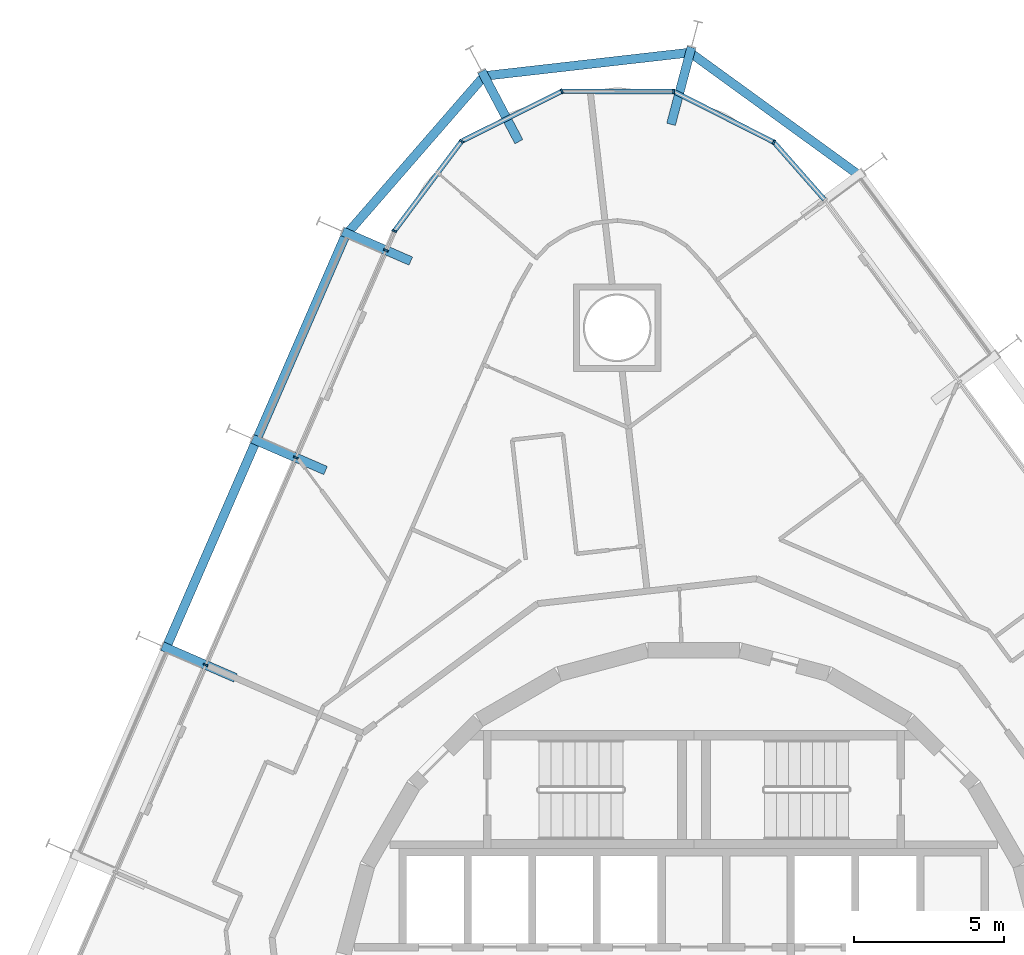
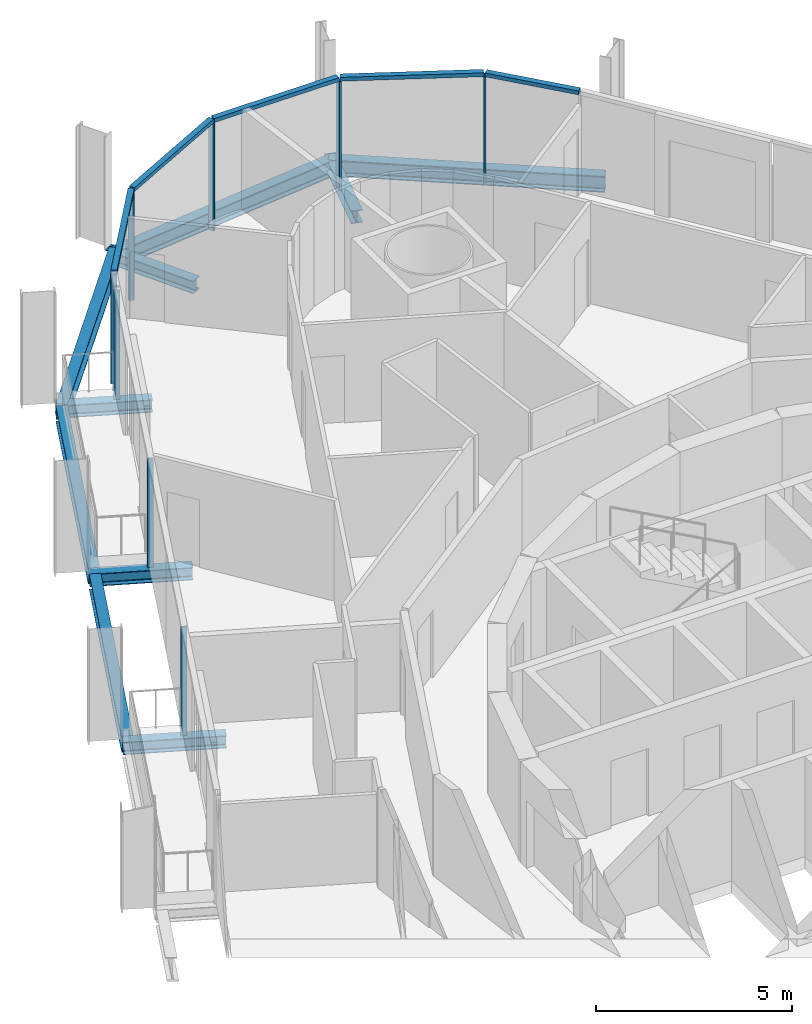
# One storey, part 9 of 24: 13 members, 10 beams, 2 elements without a shape of their own.
"""IFC4 building model written with IfcOpenShell, lengths in metres."""

import ifcopenshell
import ifcopenshell.guid

model = None  # the IFC model being written
_history = None  # IfcOwnerHistory: only IFC2X3 demands one
_inside = {}  # id of a spatial element -> (the spatial element, [elements in it])
_under = {}  # id of a project, library or spatial element -> (it, [spatial elements below it])
_declared = {}  # id of a project -> (the project, [libraries it declares])
_typed = {}  # id of a type object -> (the type object, [elements of that type])
_made_of = {}  # id of a material, layer set ... -> (it, [elements and type objects made of it])


def new_model(schema):
    """Start an empty IFC model of exactly this schema.

    Asked for "IFC4X3", IfcOpenShell would pick the latest addendum, in which some entities
    have other attributes; the version numbers below select the first issue.
    IFC2X3 requires an IfcOwnerHistory on every rooted entity: one is made here for all.
    """
    global model, _history
    if schema == "IFC4X3":
        model = ifcopenshell.file(schema_version=(4, 3, 0, 0))
    else:
        model = ifcopenshell.file(schema=schema)
    _inside.clear()
    _under.clear()
    _declared.clear()
    _typed.clear()
    _made_of.clear()
    _history = None
    if model.schema == "IFC2X3":
        org = make("IfcOrganization", Name="unknown")
        user = make(
            "IfcPersonAndOrganization",
            ThePerson=make("IfcPerson", FamilyName="unknown"),
            TheOrganization=org,
        )
        app = make(
            "IfcApplication",
            ApplicationDeveloper=org,
            Version="unknown",
            ApplicationFullName="unknown",
            ApplicationIdentifier="unknown",
        )
        _history = make(
            "IfcOwnerHistory",
            OwningUser=user,
            OwningApplication=app,
            ChangeAction="ADDED",
            CreationDate=0,
        )
    return model


def make(cls, **values):
    """One entity of the class cls with the attributes given. An attribute that is None is left unset."""
    return model.create_entity(
        cls, **{name: value for name, value in values.items() if value is not None}
    )


def rooted(cls, **values):
    """An entity with a GlobalId (a new one), such as an element, a storey or a relation."""
    return make(cls, GlobalId=ifcopenshell.guid.new(), OwnerHistory=_history, **values)


def si_unit(unit_type, name, prefix=None):
    """IfcSIUnit, for example si_unit("LENGTHUNIT", "METRE", prefix="MILLI")."""
    return make("IfcSIUnit", UnitType=unit_type, Prefix=prefix, Name=name)


def assignment(units):
    """IfcUnitAssignment: the units of a project."""
    return None if units is None else make("IfcUnitAssignment", Units=units)


def point(xyz):
    """IfcCartesianPoint."""
    return None if xyz is None else make("IfcCartesianPoint", Coordinates=xyz)


def direction(xyz):
    """IfcDirection."""
    return None if xyz is None else make("IfcDirection", DirectionRatios=xyz)


def frame(location, z_axis=None, x_axis=None):
    """IfcAxis2Placement3D, a coordinate frame: its origin and axes. An axis left out is left unset."""
    return make(
        "IfcAxis2Placement3D",
        Location=point(location),
        Axis=direction(z_axis),
        RefDirection=direction(x_axis),
    )


def frame_2d(location, x_axis=None):
    """IfcAxis2Placement2D, a coordinate frame in the plane: its origin and x axis."""
    return make(
        "IfcAxis2Placement2D", Location=point(location), RefDirection=direction(x_axis)
    )


def origin():
    """The frame at (0, 0, 0) with its axes left unset."""
    return frame((0.0, 0.0, 0.0))


def origin_2d():
    """The frame at (0, 0) in the plane with its x axis left unset."""
    return frame_2d((0.0, 0.0))


def place(relative_to, where):
    """IfcLocalPlacement: puts the frame where relative to a parent placement (None: the world)."""
    return make(
        "IfcLocalPlacement", PlacementRelTo=relative_to, RelativePlacement=where
    )


def context(
    kind, dimensions, precision=None, world=None, true_north=None, identifier=None
):
    """IfcGeometricRepresentationContext, for example the 3D "Model" context."""
    return make(
        "IfcGeometricRepresentationContext",
        ContextIdentifier=identifier,
        ContextType=kind,
        CoordinateSpaceDimension=dimensions,
        Precision=precision,
        WorldCoordinateSystem=world,
        TrueNorth=true_north,
    )


def subcontext(parent, identifier, kind, view, scale=None):
    """IfcGeometricRepresentationSubContext, for example "Body" below "Model"."""
    return make(
        "IfcGeometricRepresentationSubContext",
        ContextIdentifier=identifier,
        ContextType=kind,
        ParentContext=parent,
        TargetScale=scale,
        TargetView=view,
    )


def project(units=None, contexts=None):
    """IfcProject with its units and contexts."""
    return rooted(
        "IfcProject",
        Name="project",
        RepresentationContexts=contexts,
        UnitsInContext=assignment(units),
    )


def spatial(cls, under=None, at=None, **own):
    """A site, building, storey or space (cls), placed at a placement, below another one or the project."""
    s = rooted(cls, ObjectPlacement=at, **own)
    if under is not None:
        _under.setdefault(under.id(), (under, []))[1].append(s)
    return s


def profile(cls, at=None, kind="AREA", **sizes):
    """A parametric profile (cls). Its sizes go by their IFC names, for example OverallWidth=200.0."""
    return make(cls, ProfileType=kind, Position=at, **sizes)


def rectangle(**sizes):
    """IfcRectangleProfileDef."""
    return profile("IfcRectangleProfileDef", **sizes)


def i_section(**sizes):
    """IfcIShapeProfileDef."""
    return profile("IfcIShapeProfileDef", **sizes)


def extrude(swept, where, along, depth):
    """IfcExtrudedAreaSolid: the profile swept, set in the frame where, extruded along a direction by depth."""
    return make(
        "IfcExtrudedAreaSolid",
        SweptArea=swept,
        Position=where,
        ExtrudedDirection=direction(along),
        Depth=depth,
    )


def shape(context_of_items, identifier, shape_type, items):
    """IfcShapeRepresentation: the items that make up one representation, for example the "Body"."""
    return make(
        "IfcShapeRepresentation",
        ContextOfItems=context_of_items,
        RepresentationIdentifier=identifier,
        RepresentationType=shape_type,
        Items=items,
    )


def material(Name=None, Category=None):
    """IfcMaterial."""
    return make("IfcMaterial", Name=Name, Category=Category)


def layer(
    of_material, thickness, ventilated=None, Name=None, Category=None, Priority=None
):
    """IfcMaterialLayer: one layer of a wall or slab, of a material (None: an air gap)."""
    return make(
        "IfcMaterialLayer",
        Material=of_material,
        LayerThickness=thickness,
        IsVentilated=ventilated,
        Name=Name,
        Category=Category,
        Priority=Priority,
    )


def layer_set(layers, Name=None):
    """IfcMaterialLayerSet."""
    return make("IfcMaterialLayerSet", MaterialLayers=layers, LayerSetName=Name)


def material_profile(
    of_material, cross_section, Name=None, Category=None, Priority=None
):
    """IfcMaterialProfile: a cross section and its material."""
    return make(
        "IfcMaterialProfile",
        Name=Name,
        Material=of_material,
        Profile=cross_section,
        Priority=Priority,
        Category=Category,
    )


def profile_set(profiles, Name=None, composite=None):
    """IfcMaterialProfileSet."""
    return make(
        "IfcMaterialProfileSet",
        Name=Name,
        MaterialProfiles=profiles,
        CompositeProfile=composite,
    )


def made_of(thing, what):
    """Note that an element or type object is made of a material, layer set ...; save() writes the relation."""
    if what is not None:
        _made_of.setdefault(what.id(), (what, []))[1].append(thing)
    return thing


def type_object(cls, material=None, **own):
    """A type object (cls), such as IfcWallType, which elements share."""
    return made_of(rooted(cls, **own), material)


def element(
    cls,
    number,
    at=None,
    inside=None,
    cuts=None,
    type_object=None,
    material=None,
    context=None,
    identifier="Body",
    shape_type=None,
    held_by="IfcProductDefinitionShape",
    body=None,
    shapes=None,
    **own,
):
    """One element of the class cls, such as IfcWall. Its Tag is "e" and its number.

    at: its placement. inside: the storey or other place that contains it. cuts: it is an
    opening in that element (IfcRelVoidsElement). A single representation is given by context,
    identifier, shape_type and body (its items); several are given by shapes. held_by: the class
    of the entity that holds the representations. save() writes the other relations.
    """
    e = rooted(cls, Tag="e%d" % number, ObjectPlacement=at, **own)
    if body is not None:
        shapes = [shape(context, identifier, shape_type, body)]
    if shapes is not None:
        e.Representation = make(held_by, Representations=shapes)
    if inside is not None:
        _inside.setdefault(inside.id(), (inside, []))[1].append(e)
    if cuts is not None:
        rooted(
            "IfcRelVoidsElement", RelatingBuildingElement=cuts, RelatedOpeningElement=e
        )
    if type_object is not None:
        _typed.setdefault(type_object.id(), (type_object, []))[1].append(e)
    return made_of(e, material)


def aggregate(whole, parts):
    """IfcRelAggregates: a whole, such as a stair, and the parts it consists of."""
    return rooted("IfcRelAggregates", RelatingObject=whole, RelatedObjects=parts)


def save(model, path):
    """Write the relations noted so far, then the file.

    IfcRelAggregates (storeys below a building ...), IfcRelContainedInSpatialStructure (elements
    in a storey), IfcRelDefinesByType, IfcRelAssociatesMaterial and IfcRelDeclares: one each for
    every whole, place, type object, material and project.
    """
    for whole, parts in _under.values():
        aggregate(whole, parts)
    for where, things in _inside.values():
        rooted(
            "IfcRelContainedInSpatialStructure",
            RelatedElements=things,
            RelatingStructure=where,
        )
    for kind, things in _typed.values():
        rooted("IfcRelDefinesByType", RelatedObjects=things, RelatingType=kind)
    for what, things in _made_of.values():
        rooted("IfcRelAssociatesMaterial", RelatedObjects=things, RelatingMaterial=what)
    for by, libraries in _declared.values():
        rooted("IfcRelDeclares", RelatingContext=by, RelatedDefinitions=libraries)
    model.write(path)


model = new_model("IFC4")

# Units and contexts
model_context = context("Model", 3, precision=1e-05, world=origin(), true_north=direction((0.0, 1.0)))
body_context = subcontext(model_context, "Body", "Model", "MODEL_VIEW")
ifc_project = project(units=[si_unit("LENGTHUNIT", "METRE"), si_unit("AREAUNIT", "SQUARE_METRE"), si_unit("VOLUMEUNIT", "CUBIC_METRE"), si_unit("PLANEANGLEUNIT", "RADIAN"), si_unit("MASSUNIT", "GRAM", prefix="KILO")], contexts=[model_context])

# Site, building, storey
site_placement = place(None, origin())
site = spatial("IfcSite", under=ifc_project, at=site_placement, CompositionType="ELEMENT")
building_placement = place(site_placement, origin())
building = spatial("IfcBuilding", under=site, at=building_placement, Name="Spindle Arch Residences", CompositionType="ELEMENT")
storey_placement = place(building_placement, frame((0.0, 0.0, 87.199951171875)))
storey = spatial("IfcBuildingStorey", under=building, at=storey_placement, Name="L20", CompositionType="ELEMENT", Elevation=87.199951171875)

# Curtain wall, members
ifc_material_1 = material(Name="Aluminium bronze unitised frame with tinted glass", Category="aluminium")
ifc_layer_1 = layer(ifc_material_1, 0.159912109375)
ifc_layer_set_1 = layer_set([ifc_layer_1], Name="CW-D corner wall on the fillet arcs")
curtain_wall_type_1 = type_object("IfcCurtainWallType", Name="CW-D corner wall on the fillet arcs", PredefinedType="NOTDEFINED", material=ifc_layer_set_1)
curtain_wall_1_placement = place(storey_placement, origin())
curtain_wall_1 = element("IfcCurtainWall", 1, at=curtain_wall_1_placement, inside=storey, type_object=curtain_wall_type_1, Name="CW-D L20 run 3", PredefinedType="NOTDEFINED")
ifc_material_2 = material(Name="Aluminium bronze anodised mullion", Category="aluminium")
ifc_material_profile_1 = material_profile(ifc_material_2, rectangle(XDim=0.159912109375, YDim=0.06005859375, at=origin_2d()), Name="MU 60x160")
ifc_profile_set_1 = profile_set([ifc_material_profile_1], Name="Aluminium bronze anodised mullion")
member_type_1 = type_object("IfcMemberType", Name="Bronze mullion 60x160", PredefinedType="MULLION", material=ifc_profile_set_1)
member_1_placement = place(storey_placement, frame((2.662841796875, 28.544921875, -0.3798828125), z_axis=(0.0, 0.0, 1.0), x_axis=(-0.451396753797, -0.892323355439, 0.0)))
member_1 = element("IfcMember", 2, at=member_1_placement, type_object=member_type_1, Name="CW-D mullion 01", PredefinedType="MULLION", context=body_context, shape_type="SweptSolid", body=[
    extrude(rectangle(XDim=0.159912109375, YDim=0.06005859375, at=origin_2d()), origin(), (0.0, 0.0, 1.0), 3.3798828125),
])
member_2_placement = place(storey_placement, frame((-0.66259765625, 30.22705078125, -0.3798828125), z_axis=(0.0, 0.0, 1.0), x_axis=(-0.002908881551, -0.999995769195, 0.0)))
member_2 = element("IfcMember", 3, at=member_2_placement, type_object=member_type_1, Name="CW-D mullion 02", PredefinedType="MULLION", context=body_context, shape_type="SweptSolid", body=[
    extrude(rectangle(XDim=0.159912109375, YDim=0.06005859375, at=origin_2d()), origin(), (0.0, 0.0, 1.0), 3.3798828125),
])
member_3_placement = place(storey_placement, frame((-4.38916015625, 30.23779296875, -0.3798828125), z_axis=(0.0, 0.0, 1.0), x_axis=(0.446197812813, -0.89493436175, 0.0)))
member_3 = element("IfcMember", 4, at=member_3_placement, type_object=member_type_1, Name="CW-D mullion 03", PredefinedType="MULLION", context=body_context, shape_type="SweptSolid", body=[
    extrude(rectangle(XDim=0.159912109375, YDim=0.06005859375, at=origin_2d()), origin(), (0.0, 0.0, 1.0), 3.3798828125),
])
member_4_placement = place(storey_placement, frame((-7.724365234375, 28.574951171875, -0.3798828125), z_axis=(0.0, 0.0, 1.0), x_axis=(0.800382739909, -0.599489340736, 0.0)))
member_4 = element("IfcMember", 5, at=member_4_placement, type_object=member_type_1, Name="CW-D mullion 04", PredefinedType="MULLION", context=body_context, shape_type="SweptSolid", body=[
    extrude(rectangle(XDim=0.159912109375, YDim=0.06005859375, at=origin_2d()), origin(), (0.0, 0.0, 1.0), 3.3798828125),
])
member_5_placement = place(storey_placement, frame((-9.958740234375, 25.59228515625, -0.3798828125), z_axis=(0.0, 0.0, 1.0), x_axis=(0.917060074385, -0.398749068925, 0.0)))
member_5 = element("IfcMember", 6, at=member_5_placement, type_object=member_type_1, Name="CW-D mullion 05", PredefinedType="MULLION", context=body_context, shape_type="SweptSolid", body=[
    extrude(rectangle(XDim=0.159912109375, YDim=0.06005859375, at=origin_2d()), origin(), (0.0, 0.0, 1.0), 3.3798828125),
])

ifc_material_3 = material(Name="Aluminium bronze unitised frame with tinted glass", Category="aluminium")
ifc_layer_2 = layer(ifc_material_3, 0.159912109375)
ifc_layer_set_2 = layer_set([ifc_layer_2], Name="CW-C typical residential unitised wall")
curtain_wall_type_2 = type_object("IfcCurtainWallType", Name="CW-C typical residential unitised wall", PredefinedType="NOTDEFINED", material=ifc_layer_set_2)
curtain_wall_2_placement = place(storey_placement, origin())
curtain_wall_2 = element("IfcCurtainWall", 7, at=curtain_wall_2_placement, inside=storey, type_object=curtain_wall_type_2, Name="CW-C L20 run 4", PredefinedType="NOTDEFINED")
member_6_placement = place(storey_placement, frame((-10.23828125, 24.94873046875, -0.3798828125), z_axis=(0.0, 0.0, 1.0), x_axis=(0.917060074385, -0.398749068925, 0.0)))
member_6 = element("IfcMember", 8, at=member_6_placement, type_object=member_type_1, Name="CW-C mullion 13", PredefinedType="MULLION", context=body_context, shape_type="SweptSolid", body=[
    extrude(rectangle(XDim=0.159912109375, YDim=0.06005859375, at=origin_2d()), origin(), (0.0, 0.0, 1.0), 3.3798828125),
])
member_7_placement = place(storey_placement, frame((-13.236572265625, 18.0537109375, -0.3798828125), z_axis=(0.0, 0.0, 1.0), x_axis=(0.917060074385, -0.398749068925, 0.0)))
member_7 = element("IfcMember", 9, at=member_7_placement, type_object=member_type_1, Name="CW-C mullion 14", PredefinedType="MULLION", context=body_context, shape_type="SweptSolid", body=[
    extrude(rectangle(XDim=0.159912109375, YDim=0.06005859375, at=origin_2d()), origin(), (0.0, 0.0, 1.0), 3.3798828125),
])
member_8_placement = place(storey_placement, frame((-16.234619140625, 11.158447265625, -0.3798828125), z_axis=(0.0, 0.0, 1.0), x_axis=(0.917060074385, -0.398749068925, 0.0)))
member_8 = element("IfcMember", 10, at=member_8_placement, type_object=member_type_1, Name="CW-C mullion 15", PredefinedType="MULLION", context=body_context, shape_type="SweptSolid", body=[
    extrude(rectangle(XDim=0.159912109375, YDim=0.06005859375, at=origin_2d()), origin(), (0.0, 0.0, 1.0), 3.3798828125),
])
aggregate(curtain_wall_2, [member_6, member_7, member_8])

# Member
ifc_material_4 = material(Name="Aluminium bronze anodised transom", Category="aluminium")
ifc_material_profile_2 = material_profile(ifc_material_4, rectangle(XDim=0.159912109375, YDim=0.1201171875, at=origin_2d()), Name="TR 120x160")
ifc_profile_set_2 = profile_set([ifc_material_profile_2], Name="Aluminium bronze anodised transom")
member_type_2 = type_object("IfcMemberType", Name="Bronze transom 120x160", PredefinedType="USERDEFINED", material=ifc_profile_set_2)
member_9_placement = place(storey_placement, frame((4.34375, 26.635009765625, 3.06005859375), z_axis=(-0.660660732339, 0.750684618695, 0.0), x_axis=(-0.750684618695, -0.660660732339, 0.0)))
member_9 = element("IfcMember", 11, at=member_9_placement, type_object=member_type_2, Name="CW-D transom 00", ObjectType="TRANSOM", PredefinedType="USERDEFINED", context=body_context, shape_type="SweptSolid", body=[
    extrude(rectangle(XDim=0.159912109375, YDim=0.1201171875, at=origin_2d()), origin(), (0.0, 0.0, 1.0), 2.513916015625),
])

member_10_placement = place(storey_placement, frame((2.63623046875, 28.558349609375, 3.06005859375), z_axis=(-0.892313345479, 0.45141654099, 0.0), x_axis=(-0.45141654099, -0.892313345479, 0.0)))
member_10 = element("IfcMember", 12, at=member_10_placement, type_object=member_type_2, Name="CW-D transom 01", ObjectType="TRANSOM", PredefinedType="USERDEFINED", context=body_context, shape_type="SweptSolid", body=[
    extrude(rectangle(XDim=0.159912109375, YDim=0.1201171875, at=origin_2d()), origin(), (0.0, 0.0, 1.0), 3.666748046875),
])

member_11_placement = place(storey_placement, frame((-0.692626953125, 30.22705078125, 3.06005859375), z_axis=(-0.999995708684, 0.002929609906, 0.0), x_axis=(-0.002929609906, -0.999995708684, 0.0)))
member_11 = element("IfcMember", 13, at=member_11_placement, type_object=member_type_2, Name="CW-D transom 02", ObjectType="TRANSOM", PredefinedType="USERDEFINED", context=body_context, shape_type="SweptSolid", body=[
    extrude(rectangle(XDim=0.159912109375, YDim=0.1201171875, at=origin_2d()), origin(), (0.0, 0.0, 1.0), 3.666748046875),
])

member_12_placement = place(storey_placement, frame((-4.416015625, 30.224609375, 3.06005859375), z_axis=(-0.894919349856, -0.446227920745, 0.0), x_axis=(0.446227920745, -0.894919349856, 0.0)))
member_12 = element("IfcMember", 14, at=member_12_placement, type_object=member_type_2, Name="CW-D transom 03", ObjectType="TRANSOM", PredefinedType="USERDEFINED", context=body_context, shape_type="SweptSolid", body=[
    extrude(rectangle(XDim=0.159912109375, YDim=0.1201171875, at=origin_2d()), origin(), (0.0, 0.0, 1.0), 3.666748046875),
])

member_13_placement = place(storey_placement, frame((-7.742431640625, 28.551025390625, 3.06005859375), z_axis=(-0.599499190139, -0.800375362579, 0.0), x_axis=(0.800375362579, -0.599499190139, 0.0)))
member_13 = element("IfcMember", 15, at=member_13_placement, type_object=member_type_2, Name="CW-D transom 04", ObjectType="TRANSOM", PredefinedType="USERDEFINED", context=body_context, shape_type="SweptSolid", body=[
    extrude(rectangle(XDim=0.159912109375, YDim=0.1201171875, at=origin_2d()), origin(), (0.0, 0.0, 1.0), 3.666748046875),
])

aggregate(curtain_wall_1, [member_9, member_1, member_10, member_2, member_11, member_3, member_12, member_4, member_13, member_5])

# Beams
ifc_material_5 = material(Name="Steel S460ML, intumescent coating R 120", Category="steel")
ifc_material_profile_3 = material_profile(ifc_material_5, i_section(OverallWidth=0.300048828125, OverallDepth=0.5, WebThickness=0.014404296875, FlangeThickness=0.028076171875, FilletRadius=0.027099609375, at=origin_2d()), Name="HEB 500")
ifc_profile_set_3 = profile_set([ifc_material_profile_3], Name="Steel S460ML, intumescent coating R 120")
beam_type_1 = type_object("IfcBeamType", Name="Exoskeleton edge beam HEB 500", PredefinedType="BEAM", material=ifc_profile_set_3)
beam_1_placement = place(storey_placement, frame((5.552734375, 27.40478515625, -0.6298828125), z_axis=(-0.809296745618, 0.587400014923, 0.0), x_axis=(-0.587400014923, -0.809296745618, 0.0)))
element("IfcBeam", 16, at=beam_1_placement, inside=storey, type_object=beam_type_1, Name="Exoskeleton edge beam 11", PredefinedType="BEAM", context=body_context, shape_type="SweptSolid", body=[
    extrude(i_section(OverallWidth=0.300048828125, OverallDepth=0.5, WebThickness=0.014404296875, FlangeThickness=0.028076171875, FilletRadius=0.027099609375, at=origin_2d()), origin(), (0.0, 0.0, 1.0), 7.094482421875),
])
beam_2_placement = place(storey_placement, frame((-0.02685546875, 31.5361328125, -0.6298828125), z_axis=(-0.993571479585, -0.11320651463, 0.0), x_axis=(0.11320651463, -0.993571479585, 0.0)))
element("IfcBeam", 17, at=beam_2_placement, inside=storey, type_object=beam_type_1, Name="Exoskeleton edge beam 12", PredefinedType="BEAM", context=body_context, shape_type="SweptSolid", body=[
    extrude(i_section(OverallWidth=0.300048828125, OverallDepth=0.5, WebThickness=0.014404296875, FlangeThickness=0.028076171875, FilletRadius=0.027099609375, at=origin_2d()), origin(), (0.0, 0.0, 1.0), 7.086669921875),
])
beam_3_placement = place(storey_placement, frame((-6.918212890625, 30.80517578125, -0.6298828125), z_axis=(-0.656418952224, -0.754396552989, 0.0), x_axis=(0.754396552989, -0.656418952224, 0.0)))
element("IfcBeam", 18, at=beam_3_placement, inside=storey, type_object=beam_type_1, Name="Exoskeleton edge beam 13", PredefinedType="BEAM", context=body_context, shape_type="SweptSolid", body=[
    extrude(i_section(OverallWidth=0.300048828125, OverallDepth=0.5, WebThickness=0.014404296875, FlangeThickness=0.028076171875, FilletRadius=0.027099609375, at=origin_2d()), origin(), (0.0, 0.0, 1.0), 7.09423828125),
])
beam_4_placement = place(storey_placement, frame((-11.604248046875, 25.40087890625, -0.6298828125), z_axis=(-0.398772846535, -0.91704973522, 0.0), x_axis=(0.91704973522, -0.398772846535, 0.0)))
element("IfcBeam", 19, at=beam_4_placement, inside=storey, type_object=beam_type_1, Name="Exoskeleton edge beam 14", PredefinedType="BEAM", context=body_context, shape_type="SweptSolid", body=[
    extrude(i_section(OverallWidth=0.300048828125, OverallDepth=0.5, WebThickness=0.014404296875, FlangeThickness=0.028076171875, FilletRadius=0.027099609375, at=origin_2d()), origin(), (0.0, 0.0, 1.0), 7.258544921875),
])
beam_5_placement = place(storey_placement, frame((-14.602294921875, 18.505859375, -0.6298828125), z_axis=(-0.398760546857, -0.917055083553, 0.0), x_axis=(0.917055083553, -0.398760546857, 0.0)))
element("IfcBeam", 20, at=beam_5_placement, inside=storey, type_object=beam_type_1, Name="Exoskeleton edge beam 15", PredefinedType="BEAM", context=body_context, shape_type="SweptSolid", body=[
    extrude(i_section(OverallWidth=0.300048828125, OverallDepth=0.5, WebThickness=0.014404296875, FlangeThickness=0.028076171875, FilletRadius=0.027099609375, at=origin_2d()), origin(), (0.0, 0.0, 1.0), 7.2587890625),
])
ifc_material_6 = material(Name="Steel S460ML, intumescent coating R 120", Category="steel")
ifc_material_profile_4 = material_profile(ifc_material_6, i_section(OverallWidth=0.300048828125, OverallDepth=0.389892578125, WebThickness=0.010986328125, FlangeThickness=0.01904296875, FilletRadius=0.027099609375, at=origin_2d()), Name="HEA 400")
ifc_profile_set_4 = profile_set([ifc_material_profile_4], Name="Steel S460ML, intumescent coating R 120")
beam_type_2 = type_object("IfcBeamType", Name="Floor outrigger HEA 400", PredefinedType="BEAM", material=ifc_profile_set_4)
beam_6_placement = place(storey_placement, frame((-0.079345703125, 31.698974609375, -0.574951171875), z_axis=(-0.255930543214, -0.966695172767, 0.0), x_axis=(0.966695172767, -0.255930543214, 0.0)))
element("IfcBeam", 21, at=beam_6_placement, inside=storey, type_object=beam_type_2, Name="Floor outrigger 12", PredefinedType="BEAM", context=body_context, shape_type="SweptSolid", body=[
    extrude(i_section(OverallWidth=0.300048828125, OverallDepth=0.389892578125, WebThickness=0.010986328125, FlangeThickness=0.01904296875, FilletRadius=0.027099609375, at=origin_2d()), origin(), (0.0, 0.0, 1.0), 2.650146484375),
])
beam_7_placement = place(storey_placement, frame((-7.05322265625, 30.904296875, -0.574951171875), z_axis=(0.466748611055, -0.88439003504, 0.0), x_axis=(0.88439003504, 0.466748611055, 0.0)))
element("IfcBeam", 22, at=beam_7_placement, inside=storey, type_object=beam_type_2, Name="Floor outrigger 13", PredefinedType="BEAM", context=body_context, shape_type="SweptSolid", body=[
    extrude(i_section(OverallWidth=0.300048828125, OverallDepth=0.389892578125, WebThickness=0.010986328125, FlangeThickness=0.01904296875, FilletRadius=0.027099609375, at=origin_2d()), origin(), (0.0, 0.0, 1.0), 2.64990234375),
])
beam_8_placement = place(storey_placement, frame((-11.677978515625, 25.574951171875, -0.574951171875), z_axis=(0.917041778062, -0.398791144948, 0.0), x_axis=(0.398791144948, 0.917041778062, 0.0)))
element("IfcBeam", 23, at=beam_8_placement, inside=storey, type_object=beam_type_2, Name="Floor outrigger 14", PredefinedType="BEAM", context=body_context, shape_type="SweptSolid", body=[
    extrude(i_section(OverallWidth=0.300048828125, OverallDepth=0.389892578125, WebThickness=0.010986328125, FlangeThickness=0.01904296875, FilletRadius=0.027099609375, at=origin_2d()), origin(), (0.0, 0.0, 1.0), 2.470947265625),
])
for number, where, z_axis, x_axis, name in (
    (24, (-14.67626953125, 18.6796875, -0.574951171875), (0.917064197317, -0.398739586698, 0.0), (0.398739586698, 0.917064197317, 0.0), "Floor outrigger 15"),
    (25, (-17.67431640625, 11.784423828125, -0.574951171875), (0.917064197317, -0.398739586698, 0.0), (0.398739586698, 0.917064197317, 0.0), "Floor outrigger 16"),
):
    element("IfcBeam", number, at=place(storey_placement, frame(where, z_axis=z_axis, x_axis=x_axis)), inside=storey, type_object=beam_type_2, Name=name, PredefinedType="BEAM", context=body_context, shape_type="SweptSolid", body=[
        extrude(i_section(OverallWidth=0.300048828125, OverallDepth=0.389892578125, WebThickness=0.010986328125, FlangeThickness=0.01904296875, FilletRadius=0.027099609375, at=origin_2d()), origin(), (0.0, 0.0, 1.0), 2.64990234375),
    ])

save(model, "model.ifc")
